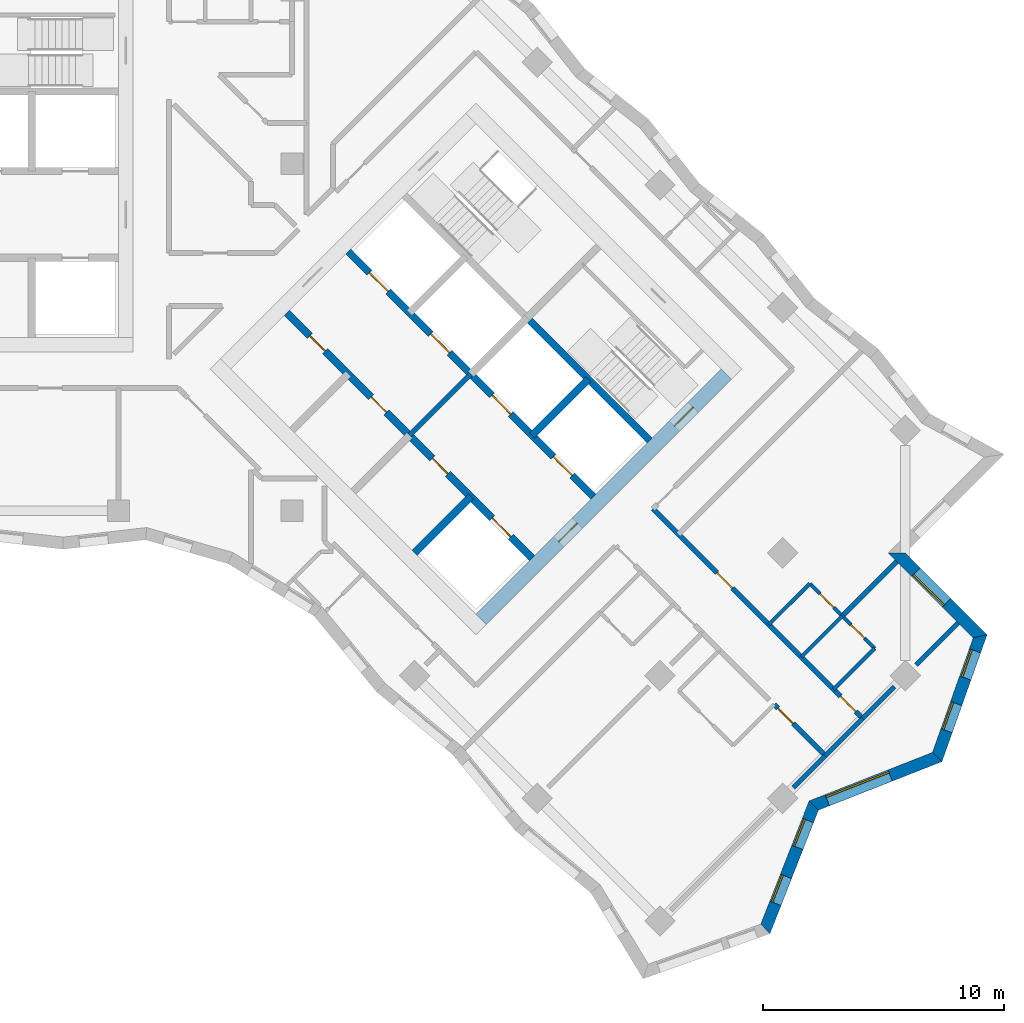
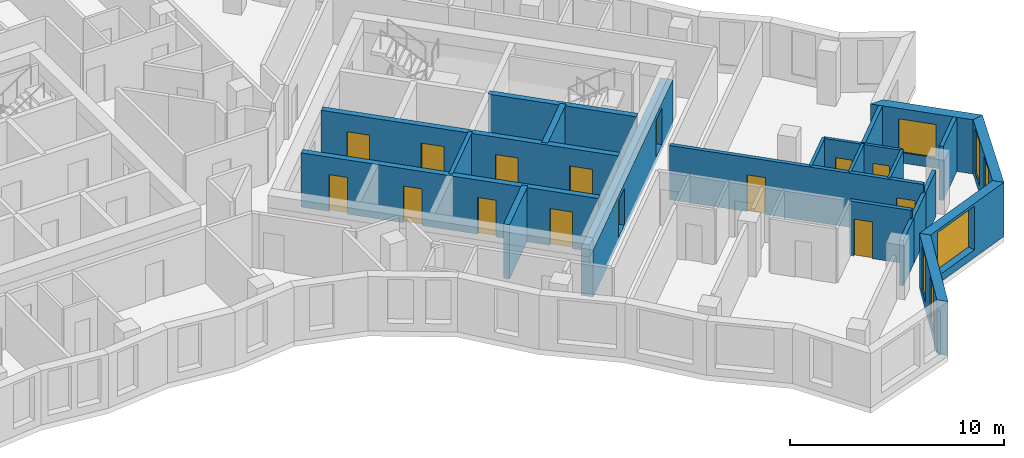
# One storey, part 8 of 12: 22 walls, 15 doors, 6 windows, 21 openings.
"""IFC4 building model written with IfcOpenShell, lengths in metres."""

from ifc_helpers import new_model, si_unit, direction, frame, frame_2d, origin, place, context, subcontext, project, spatial, polyline, rectangle, outline, extrude, material, layer, layer_set, type_object, element, fill, save


model = new_model("IFC4")

# Units and contexts
model_context = context("Model", 3, precision=1e-05, world=origin(), true_north=direction((0.0, 1.0)))
body_context = subcontext(model_context, "Body", "Model", "MODEL_VIEW")
ifc_project = project(units=[si_unit("LENGTHUNIT", "METRE"), si_unit("AREAUNIT", "SQUARE_METRE"), si_unit("VOLUMEUNIT", "CUBIC_METRE"), si_unit("PLANEANGLEUNIT", "RADIAN"), si_unit("MASSUNIT", "GRAM", prefix="KILO")], contexts=[model_context])

# Site, building, storey
site_placement = place(None, origin())
site = spatial("IfcSite", under=ifc_project, at=site_placement, CompositionType="ELEMENT")
building_placement = place(site_placement, origin())
building = spatial("IfcBuilding", under=site, at=building_placement, Name="Windrow Commons", CompositionType="ELEMENT")
storey_placement = place(building_placement, frame((0.0, 0.0, 145.6)))
storey = spatial("IfcBuildingStorey", under=building, at=storey_placement, Name="L39", CompositionType="ELEMENT", Elevation=145.6)

# Wall, openings, windows
ifc_material_1 = material(Name="Brick masonry, red clay brick", Category="masonry")
ifc_layer_1 = layer(ifc_material_1, 0.5)
ifc_layer_set_1 = layer_set([ifc_layer_1], Name="Brick facade wall 500")
wall_type_1 = type_object("IfcWallType", Name="Brick facade wall 500", PredefinedType="SOLIDWALL", material=ifc_layer_set_1)
wall_1_placement = place(storey_placement, frame((98.8481, 25.8513, 0.0), z_axis=(0.0, 0.0, 1.0), x_axis=(0.3657018614, 0.9307320498, 0.0)))
wall_1 = element("IfcWall", 1, at=wall_1_placement, inside=storey, type_object=wall_type_1, Name="Brick facade wall L39 2", PredefinedType="SOLIDWALL", context=body_context, shape_type="SweptSolid", body=[
    extrude(outline(polyline([(-0.1139, -0.25), (5.3925, -0.25), (5.6104, 0.25), (0.1139, 0.25), (-0.1139, -0.25)])), origin(), (0.0, 0.0, 1.0), 3.1),
])
opening_1_placement = place(wall_1_placement, frame((1.141, 0.0, 0.45)))
opening_1 = element("IfcOpeningElement", 2, at=opening_1_placement, cuts=wall_1, Name="Opening W7E", PredefinedType="OPENING", context=body_context, shape_type="SweptSolid", body=[
    extrude(rectangle(XDim=1.2, YDim=2.5, at=frame_2d((0.6, 1.25))), frame((0.0, 0.26, 0.0), z_axis=(0.0, -1.0, 0.0), x_axis=(1.0, 0.0, 0.0)), (0.0, 0.0, 1.0), 0.52),
])
opening_2_placement = place(wall_1_placement, frame((3.6348, 0.0, 0.45)))
opening_2 = element("IfcOpeningElement", 3, at=opening_2_placement, cuts=wall_1, Name="Opening W7E", PredefinedType="OPENING", context=body_context, shape_type="SweptSolid", body=[
    extrude(rectangle(XDim=1.2, YDim=2.5, at=frame_2d((0.6, 1.25))), frame((0.0, 0.26, 0.0), z_axis=(0.0, -1.0, 0.0), x_axis=(1.0, 0.0, 0.0)), (0.0, 0.0, 1.0), 0.52),
])
ifc_material_2 = material(Name="Clear float glass in anodised aluminium frame", Category="aluminium")
window_type_1 = type_object("IfcWindowType", Name="Window W7 notch 1200x2500", PartitioningType="SINGLE_PANEL", PredefinedType="WINDOW", material=ifc_material_2)
window_1_placement = place(opening_1_placement, origin())
window_1 = element("IfcWindow", 4, at=window_1_placement, inside=storey, type_object=window_type_1, Name="Window L39 2.1", OverallHeight=2.5, OverallWidth=1.2, PartitioningType="SINGLE_PANEL", PredefinedType="WINDOW", context=body_context, shape_type="SweptSolid", body=[
    extrude(rectangle(XDim=1.2, YDim=2.5, at=frame_2d((0.6, 1.25))), frame((0.0, 0.18, 0.0), z_axis=(0.0, -1.0, 0.0), x_axis=(1.0, 0.0, 0.0)), (0.0, 0.0, 1.0), 0.06),
])
fill(opening_1, window_1)
window_2_placement = place(opening_2_placement, origin())
window_2 = element("IfcWindow", 5, at=window_2_placement, inside=storey, type_object=window_type_1, Name="Window L39 2.2", OverallHeight=2.5, OverallWidth=1.2, PartitioningType="SINGLE_PANEL", PredefinedType="WINDOW", context=body_context, shape_type="SweptSolid", body=[
    extrude(rectangle(XDim=1.2, YDim=2.5, at=frame_2d((0.6, 1.25))), frame((0.0, 0.18, 0.0), z_axis=(0.0, -1.0, 0.0), x_axis=(1.0, 0.0, 0.0)), (0.0, 0.0, 1.0), 0.06),
])
fill(opening_2, window_2)

# Wall, opening, window
wall_2_placement = place(storey_placement, frame((100.86, 30.9717, 0.0), z_axis=(0.0, 0.0, 1.0), x_axis=(0.9307296188, 0.3657080484, 0.0)))
wall_2 = element("IfcWall", 6, at=wall_2_placement, inside=storey, type_object=wall_type_1, Name="Brick facade wall L39 3", PredefinedType="SOLIDWALL", context=body_context, shape_type="SweptSolid", body=[
    extrude(outline(polyline([(0.109, -0.25), (5.6153, -0.25), (5.3876, 0.25), (-0.109, 0.25), (0.109, -0.25)])), origin(), (0.0, 0.0, 1.0), 3.1),
])
opening_3_placement = place(wall_2_placement, frame((0.6017, 0.0, 0.45)))
opening_3 = element("IfcOpeningElement", 7, at=opening_3_placement, cuts=wall_2, Name="Opening W1U", PredefinedType="OPENING", context=body_context, shape_type="SweptSolid", body=[
    extrude(rectangle(XDim=2.8, YDim=2.5, at=frame_2d((1.4, 1.25))), frame((0.0, 0.26, 0.0), z_axis=(0.0, -1.0, 0.0), x_axis=(1.0, 0.0, 0.0)), (0.0, 0.0, 1.0), 0.52),
])
ifc_material_3 = material(Name="Clear float glass in anodised aluminium frame", Category="aluminium")
window_type_2 = type_object("IfcWindowType", Name="Window W1U bedroom 2800x2500", PartitioningType="SINGLE_PANEL", PredefinedType="WINDOW", material=ifc_material_3)
window_3_placement = place(opening_3_placement, origin())
window_3 = element("IfcWindow", 8, at=window_3_placement, inside=storey, type_object=window_type_2, Name="Window L39 3.1", OverallHeight=2.5, OverallWidth=2.8, PartitioningType="SINGLE_PANEL", PredefinedType="WINDOW", context=body_context, shape_type="SweptSolid", body=[
    extrude(rectangle(XDim=2.8, YDim=2.5, at=frame_2d((1.4, 1.25))), frame((0.0, 0.18, 0.0), z_axis=(0.0, -1.0, 0.0), x_axis=(1.0, 0.0, 0.0)), (0.0, 0.0, 1.0), 0.06),
])
fill(opening_3, window_3)

# Wall, openings, windows
wall_3_placement = place(storey_placement, frame((105.9803, 32.9836, 0.0), z_axis=(0.0, 0.0, 1.0), x_axis=(0.3349755344, 0.9422268259, 0.0)))
wall_3 = element("IfcWall", 9, at=wall_3_placement, inside=storey, type_object=wall_type_1, Name="Brick facade wall L39 4", PredefinedType="SOLIDWALL", context=body_context, shape_type="SweptSolid", body=[
    extrude(outline(polyline([(-0.1139, -0.25), (5.4754, -0.25), (5.1595, 0.25), (0.1139, 0.25), (-0.1139, -0.25)])), origin(), (0.0, 0.0, 1.0), 3.1),
])
opening_4_placement = place(wall_3_placement, frame((1.1576, 0.0, 0.45)))
opening_4 = element("IfcOpeningElement", 10, at=opening_4_placement, cuts=wall_3, Name="Opening W7E", PredefinedType="OPENING", context=body_context, shape_type="SweptSolid", body=[
    extrude(rectangle(XDim=1.2, YDim=2.5, at=frame_2d((0.6, 1.25))), frame((0.0, 0.26, 0.0), z_axis=(0.0, -1.0, 0.0), x_axis=(1.0, 0.0, 0.0)), (0.0, 0.0, 1.0), 0.52),
])
opening_5_placement = place(wall_3_placement, frame((3.4804, 0.0, 0.45)))
opening_5 = element("IfcOpeningElement", 11, at=opening_5_placement, cuts=wall_3, Name="Opening W7E", PredefinedType="OPENING", context=body_context, shape_type="SweptSolid", body=[
    extrude(rectangle(XDim=1.2, YDim=2.5, at=frame_2d((0.6, 1.25))), frame((0.0, 0.26, 0.0), z_axis=(0.0, -1.0, 0.0), x_axis=(1.0, 0.0, 0.0)), (0.0, 0.0, 1.0), 0.52),
])
window_4_placement = place(opening_4_placement, origin())
window_4 = element("IfcWindow", 12, at=window_4_placement, inside=storey, type_object=window_type_1, Name="Window L39 4.1", OverallHeight=2.5, OverallWidth=1.2, PartitioningType="SINGLE_PANEL", PredefinedType="WINDOW", context=body_context, shape_type="SweptSolid", body=[
    extrude(rectangle(XDim=1.2, YDim=2.5, at=frame_2d((0.6, 1.25))), frame((0.0, 0.18, 0.0), z_axis=(0.0, -1.0, 0.0), x_axis=(1.0, 0.0, 0.0)), (0.0, 0.0, 1.0), 0.06),
])
fill(opening_4, window_4)
window_5_placement = place(opening_5_placement, origin())
window_5 = element("IfcWindow", 13, at=window_5_placement, inside=storey, type_object=window_type_1, Name="Window L39 4.2", OverallHeight=2.5, OverallWidth=1.2, PartitioningType="SINGLE_PANEL", PredefinedType="WINDOW", context=body_context, shape_type="SweptSolid", body=[
    extrude(rectangle(XDim=1.2, YDim=2.5, at=frame_2d((0.6, 1.25))), frame((0.0, 0.18, 0.0), z_axis=(0.0, -1.0, 0.0), x_axis=(1.0, 0.0, 0.0)), (0.0, 0.0, 1.0), 0.06),
])
fill(opening_5, window_5)

# Wall, opening, window
wall_4_placement = place(storey_placement, frame((107.7615, 37.9938, 0.0), z_axis=(0.0, 0.0, 1.0), x_axis=(-0.7071170016, 0.7070965606, 0.0)))
wall_4 = element("IfcWall", 14, at=wall_4_placement, inside=storey, type_object=wall_type_1, Name="Brick facade wall L39 5", PredefinedType="SOLIDWALL", context=body_context, shape_type="SweptSolid", body=[
    extrude(outline(polyline([(-0.158, -0.25), (4.6421, -0.25), (5.1421, 0.25), (0.158, 0.25), (-0.158, -0.25)])), origin(), (0.0, 0.0, 1.0), 3.1),
])
opening_6_placement = place(wall_4_placement, frame((1.9671, 0.0, 0.6)))
opening_6 = element("IfcOpeningElement", 15, at=opening_6_placement, cuts=wall_4, Name="Opening W1L", PredefinedType="OPENING", context=body_context, shape_type="SweptSolid", body=[
    extrude(rectangle(XDim=1.8, YDim=1.9, at=frame_2d((0.9, 0.95))), frame((0.0, 0.26, 0.0), z_axis=(0.0, -1.0, 0.0), x_axis=(1.0, 0.0, 0.0)), (0.0, 0.0, 1.0), 0.52),
])
ifc_material_4 = material(Name="Clear float glass in anodised aluminium frame", Category="aluminium")
window_type_3 = type_object("IfcWindowType", Name="Window W1L bedroom 1800x1900", PartitioningType="SINGLE_PANEL", PredefinedType="WINDOW", material=ifc_material_4)
window_6_placement = place(opening_6_placement, origin())
window_6 = element("IfcWindow", 16, at=window_6_placement, inside=storey, type_object=window_type_3, Name="Window L39 5.1", OverallHeight=1.9, OverallWidth=1.8, PartitioningType="SINGLE_PANEL", PredefinedType="WINDOW", context=body_context, shape_type="SweptSolid", body=[
    extrude(rectangle(XDim=1.8, YDim=1.9, at=frame_2d((0.9, 0.95))), frame((0.0, 0.18, 0.0), z_axis=(0.0, -1.0, 0.0), x_axis=(1.0, 0.0, 0.0)), (0.0, 0.0, 1.0), 0.06),
])
fill(opening_6, window_6)

# Wall
ifc_material_5 = material(Name="Blockwork partition", Category="masonry")
ifc_layer_2 = layer(ifc_material_5, 0.2)
ifc_layer_set_2 = layer_set([ifc_layer_2], Name="Fire lobby partition 200")
wall_type_2 = type_object("IfcWallType", Name="Fire lobby partition 200", PredefinedType="PARTITIONING", material=ifc_layer_set_2)
wall_5_placement = place(storey_placement, frame((84.079, 46.332, 0.0), z_axis=(0.0, 0.0, 1.0), x_axis=(0.7071067812, 0.7071067812, 0.0)))
element("IfcWall", 17, at=wall_5_placement, inside=storey, type_object=wall_type_2, Name="W-core-lobby-B-L39", PredefinedType="PARTITIONING", context=body_context, shape_type="SweptSolid", body=[
    extrude(rectangle(XDim=3.6, YDim=0.2, at=frame_2d((1.8, 0.0))), origin(), (0.0, 0.0, 1.0), 3.1),
])

# Wall, openings, doors
ifc_material_6 = material(Name="Blockwork partition", Category="masonry")
ifc_layer_3 = layer(ifc_material_6, 0.2)
ifc_layer_set_3 = layer_set([ifc_layer_3], Name="IW-CORRIDOR-200")
wall_type_3 = type_object("IfcWallType", Name="IW-CORRIDOR-200", PredefinedType="PARTITIONING", material=ifc_layer_set_3)
wall_6_placement = place(storey_placement, frame((94.1889, 43.2869, 0.0), z_axis=(0.0, 0.0, 1.0), x_axis=(0.7071067812, -0.7071067812, 0.0)))
wall_6 = element("IfcWall", 18, at=wall_6_placement, inside=storey, type_object=wall_type_3, Name="W-L39-W005", PredefinedType="PARTITIONING", context=body_context, shape_type="SweptSolid", body=[
    extrude(rectangle(XDim=12.298, YDim=0.2, at=frame_2d((6.149, 0.0))), origin(), (0.0, 0.0, 1.0), 3.1),
])
opening_7_placement = place(wall_6_placement, frame((3.7546, 0.0, 0.0)))
opening_7 = element("IfcOpeningElement", 19, at=opening_7_placement, cuts=wall_6, Name="Opening D109F", PredefinedType="OPENING", context=body_context, shape_type="SweptSolid", body=[
    extrude(rectangle(XDim=0.9, YDim=2.1, at=frame_2d((0.45, 1.05))), frame((0.0, 0.11, 0.0), z_axis=(0.0, -1.0, 0.0), x_axis=(1.0, 0.0, 0.0)), (0.0, 0.0, 1.0), 0.22),
])
opening_8_placement = place(wall_6_placement, frame((10.998, 0.0, 0.0)))
opening_8 = element("IfcOpeningElement", 20, at=opening_8_placement, cuts=wall_6, Name="Opening D109S", PredefinedType="OPENING", context=body_context, shape_type="SweptSolid", body=[
    extrude(rectangle(XDim=0.9, YDim=2.1, at=frame_2d((0.45, 1.05))), frame((0.0, 0.11, 0.0), z_axis=(0.0, -1.0, 0.0), x_axis=(1.0, 0.0, 0.0)), (0.0, 0.0, 1.0), 0.22),
])
ifc_material_7 = material(Name="Timber door leaf", Category="wood")
door_type_1 = type_object("IfcDoorType", Name="DT-BEDROOM-900", OperationType="SINGLE_SWING_LEFT", PredefinedType="DOOR", material=ifc_material_7)
door_1_placement = place(opening_7_placement, origin())
door_1 = element("IfcDoor", 21, at=door_1_placement, inside=storey, type_object=door_type_1, Name="D-L39-D042", OperationType="SINGLE_SWING_RIGHT", OverallHeight=2.1, OverallWidth=0.9, PredefinedType="DOOR", context=body_context, shape_type="SweptSolid", body=[
    extrude(rectangle(XDim=0.9, YDim=2.1, at=frame_2d((0.45, 1.05))), frame((0.0, 0.025, 0.0), z_axis=(0.0, -1.0, 0.0), x_axis=(1.0, 0.0, 0.0)), (0.0, 0.0, 1.0), 0.05),
])
fill(opening_7, door_1)
door_2_placement = place(opening_8_placement, origin())
door_2 = element("IfcDoor", 22, at=door_2_placement, inside=storey, type_object=door_type_1, Name="D-L39-D053", OperationType="SINGLE_SWING_RIGHT", OverallHeight=2.1, OverallWidth=0.9, PredefinedType="DOOR", context=body_context, shape_type="SweptSolid", body=[
    extrude(rectangle(XDim=0.9, YDim=2.1, at=frame_2d((0.45, 1.05))), frame((0.0, 0.025, 0.0), z_axis=(0.0, -1.0, 0.0), x_axis=(1.0, 0.0, 0.0)), (0.0, 0.0, 1.0), 0.05),
])
fill(opening_8, door_2)

# Wall, opening, door
wall_7_placement = place(storey_placement, frame((99.2143, 35.1623, 0.0), z_axis=(0.0, 0.0, 1.0), x_axis=(0.706773319, -0.7074400862, 0.0)))
wall_7 = element("IfcWall", 23, at=wall_7_placement, inside=storey, type_object=wall_type_3, Name="W-L39-W057", PredefinedType="PARTITIONING", context=body_context, shape_type="SweptSolid", body=[
    extrude(rectangle(XDim=2.9995, YDim=0.2, at=frame_2d((1.4997, 0.0))), origin(), (0.0, 0.0, 1.0), 3.1),
])
opening_9_placement = place(wall_7_placement, frame((0.2196, 0.0, 0.0)))
opening_9 = element("IfcOpeningElement", 24, at=opening_9_placement, cuts=wall_7, Name="Opening D109F", PredefinedType="OPENING", context=body_context, shape_type="SweptSolid", body=[
    extrude(rectangle(XDim=0.9, YDim=2.1, at=frame_2d((0.45, 1.05))), frame((0.0, 0.11, 0.0), z_axis=(0.0, -1.0, 0.0), x_axis=(1.0, 0.0, 0.0)), (0.0, 0.0, 1.0), 0.22),
])
door_3_placement = place(opening_9_placement, origin())
door_3 = element("IfcDoor", 25, at=door_3_placement, inside=storey, type_object=door_type_1, Name="D-L39-D051", OperationType="SINGLE_SWING_RIGHT", OverallHeight=2.1, OverallWidth=0.9, PredefinedType="DOOR", context=body_context, shape_type="SweptSolid", body=[
    extrude(rectangle(XDim=0.9, YDim=2.1, at=frame_2d((0.45, 1.05))), frame((0.0, 0.025, 0.0), z_axis=(0.0, -1.0, 0.0), x_axis=(1.0, 0.0, 0.0)), (0.0, 0.0, 1.0), 0.05),
])
fill(opening_9, door_3)

# Wall
wall_8_placement = place(storey_placement, frame((101.3312, 33.0388, 0.0), z_axis=(0.0, 0.0, 1.0), x_axis=(0.7071067812, 0.7071067812, 0.0)))
element("IfcWall", 26, at=wall_8_placement, inside=storey, type_object=wall_type_3, Name="W-L39-W107", PredefinedType="PARTITIONING", context=body_context, shape_type="SweptSolid", body=[
    extrude(rectangle(XDim=2.2005, YDim=0.2, at=frame_2d((1.1002, 0.0))), origin(), (0.0, 0.0, 1.0), 2.6),
])

# Wall, openings, doors
ifc_material_8 = material(Name="Blockwork partition", Category="masonry")
ifc_layer_4 = layer(ifc_material_8, 0.15)
ifc_layer_set_4 = layer_set([ifc_layer_4], Name="IW-ENSUITE-150")
wall_type_4 = type_object("IfcWallType", Name="IW-ENSUITE-150", PredefinedType="PARTITIONING", material=ifc_layer_set_4)
wall_9_placement = place(storey_placement, frame((100.6942, 40.1782, 0.0), z_axis=(0.0, 0.0, 1.0), x_axis=(0.7076329021, -0.7065802685, 0.0)))
wall_9 = element("IfcWall", 27, at=wall_9_placement, inside=storey, type_object=wall_type_4, Name="W-L39-W048", PredefinedType="PARTITIONING", context=body_context, shape_type="SweptSolid", body=[
    extrude(rectangle(XDim=3.8, YDim=0.15, at=frame_2d((1.9, 0.0))), origin(), (0.0, 0.0, 1.0), 3.1),
])
opening_10_placement = place(wall_9_placement, frame((0.5978, 0.0, 0.0)))
opening_10 = element("IfcOpeningElement", 28, at=opening_10_placement, cuts=wall_9, Name="Opening D208N", PredefinedType="OPENING", context=body_context, shape_type="SweptSolid", body=[
    extrude(rectangle(XDim=0.8, YDim=2.1, at=frame_2d((0.4, 1.05))), frame((0.0, 0.085, 0.0), z_axis=(0.0, -1.0, 0.0), x_axis=(1.0, 0.0, 0.0)), (0.0, 0.0, 1.0), 0.17),
])
opening_11_placement = place(wall_9_placement, frame((2.4048, 0.0, 0.0)))
opening_11 = element("IfcOpeningElement", 29, at=opening_11_placement, cuts=wall_9, Name="Opening D208N", PredefinedType="OPENING", context=body_context, shape_type="SweptSolid", body=[
    extrude(rectangle(XDim=0.8, YDim=2.1, at=frame_2d((0.4, 1.05))), frame((0.0, 0.085, 0.0), z_axis=(0.0, -1.0, 0.0), x_axis=(1.0, 0.0, 0.0)), (0.0, 0.0, 1.0), 0.17),
])
ifc_material_9 = material(Name="Timber door leaf", Category="wood")
door_type_2 = type_object("IfcDoorType", Name="DT-ENSUITE-800", OperationType="SINGLE_SWING_LEFT", PredefinedType="DOOR", material=ifc_material_9)
door_4_placement = place(opening_10_placement, origin())
door_4 = element("IfcDoor", 30, at=door_4_placement, inside=storey, type_object=door_type_2, Name="D-L39-D043", OperationType="SINGLE_SWING_RIGHT", OverallHeight=2.1, OverallWidth=0.8, PredefinedType="DOOR", context=body_context, shape_type="SweptSolid", body=[
    extrude(rectangle(XDim=0.8, YDim=2.1, at=frame_2d((0.4, 1.05))), frame((0.0, 0.025, 0.0), z_axis=(0.0, -1.0, 0.0), x_axis=(1.0, 0.0, 0.0)), (0.0, 0.0, 1.0), 0.05),
])
fill(opening_10, door_4)
door_5_placement = place(opening_11_placement, origin())
door_5 = element("IfcDoor", 31, at=door_5_placement, inside=storey, type_object=door_type_2, Name="D-L39-D054", OperationType="SINGLE_SWING_RIGHT", OverallHeight=2.1, OverallWidth=0.8, PredefinedType="DOOR", context=body_context, shape_type="SweptSolid", body=[
    extrude(rectangle(XDim=0.8, YDim=2.1, at=frame_2d((0.4, 1.05))), frame((0.0, 0.025, 0.0), z_axis=(0.0, -1.0, 0.0), x_axis=(1.0, 0.0, 0.0)), (0.0, 0.0, 1.0), 0.05),
])
fill(opening_11, door_5)

# Walls
wall_10_placement = place(storey_placement, frame((101.6851, 35.7969, 0.0), z_axis=(0.0, 0.0, 1.0), x_axis=(0.7071067812, 0.7071067812, 0.0)))
element("IfcWall", 32, at=wall_10_placement, inside=storey, type_object=wall_type_4, Name="W-L39-W068", PredefinedType="PARTITIONING", context=body_context, shape_type="SweptSolid", body=[
    extrude(rectangle(XDim=2.4013, YDim=0.15, at=frame_2d((1.2006, 0.0))), origin(), (0.0, 0.0, 1.0), 3.1),
])
for number, where, z_axis, x_axis, name in (
    (33, (100.3397, 37.1423, 0.0), (0.0, 0.0, 1.0), (0.7075233388, 0.706689978, 0.0), "W-L39-W094"),
    (34, (98.9962, 38.4858, 0.0), (0.0, 0.0, 1.0), (0.7075233388, 0.706689978, 0.0), "W-L39-W095"),
):
    element("IfcWall", number, at=place(storey_placement, frame(where, z_axis=z_axis, x_axis=x_axis)), inside=storey, type_object=wall_type_4, Name=name, PredefinedType="PARTITIONING", context=body_context, shape_type="SweptSolid", body=[
        extrude(rectangle(XDim=2.3999, YDim=0.15, at=frame_2d((1.2, 0.0))), origin(), (0.0, 0.0, 1.0), 3.1),
    ])
ifc_material_10 = material(Name="Blockwork partition", Category="masonry")
ifc_layer_5 = layer(ifc_material_10, 0.2)
ifc_layer_set_5 = layer_set([ifc_layer_5], Name="IW-PARTY-200")
wall_type_5 = type_object("IfcWallType", Name="IW-PARTY-200", PredefinedType="PARTITIONING", material=ifc_layer_set_5)
wall_11_placement = place(storey_placement, frame((102.0396, 38.8384, 0.0), z_axis=(0.0, 0.0, 1.0), x_axis=(0.7071067812, 0.7071067812, 0.0)))
element("IfcWall", 35, at=wall_11_placement, inside=storey, type_object=wall_type_5, Name="W-L39-W054", PredefinedType="PARTITIONING", context=body_context, shape_type="SweptSolid", body=[
    extrude(rectangle(XDim=3.1987, YDim=0.2, at=frame_2d((1.5994, 0.0))), origin(), (0.0, 0.0, 1.0), 3.1),
])
wall_12_placement = place(storey_placement, frame((105.1052, 36.8128, 0.0), z_axis=(0.0, 0.0, 1.0), x_axis=(0.7071067812, 0.7071067812, 0.0)))
element("IfcWall", 36, at=wall_12_placement, inside=storey, type_object=wall_type_5, Name="W-L39-W065", PredefinedType="PARTITIONING", context=body_context, shape_type="SweptSolid", body=[
    extrude(rectangle(XDim=2.4634, YDim=0.2, at=frame_2d((1.2317, 0.0))), origin(), (0.0, 0.0, 1.0), 3.1),
])
for number, where, z_axis, x_axis, name in (
    (37, (102.8872, 34.5948, 0.0), (0.0, 0.0, 1.0), (0.7071067812, 0.7071067812, 0.0), "W-L39-W133"),
    (38, (100.0132, 31.7208, 0.0), (0.0, 0.0, 1.0), (0.7071067812, 0.7071067812, 0.0), "W-L39-W135"),
):
    element("IfcWall", number, at=place(storey_placement, frame(where, z_axis=z_axis, x_axis=x_axis)), inside=storey, type_object=wall_type_5, Name=name, PredefinedType="PARTITIONING", context=body_context, shape_type="SweptSolid", body=[
        extrude(rectangle(XDim=1.8639, YDim=0.2, at=frame_2d((0.9319, 0.0))), origin(), (0.0, 0.0, 1.0), 2.6),
    ])

# Wall, openings, doors
ifc_material_11 = material(Name="Concrete C50/60", Category="concrete")
ifc_layer_6 = layer(ifc_material_11, 0.6)
ifc_layer_set_6 = layer_set([ifc_layer_6], Name="RC CORE WALL 600 C50/60")
wall_type_6 = type_object("IfcWallType", Name="RC CORE WALL 600 C50/60", PredefinedType="SHEAR", material=ifc_layer_set_6)
wall_13_placement = place(storey_placement, frame((87.0489, 38.6953, -0.3), z_axis=(0.0, 0.0, 1.0), x_axis=(0.7071067812, 0.7071067812, 0.0)))
wall_13 = element("IfcWall", 39, at=wall_13_placement, inside=storey, type_object=wall_type_6, Name="Core B wall outer-E", PredefinedType="SHEAR", context=body_context, shape_type="SweptSolid", body=[
    extrude(rectangle(XDim=14.3999, YDim=0.6, at=frame_2d((7.2, 0.0))), origin(), (0.0, 0.0, 1.0), 2.7),
])
opening_12_placement = place(wall_13_placement, frame((4.55, 0.0, 0.3)))
opening_12 = element("IfcOpeningElement", 40, at=opening_12_placement, cuts=wall_13, Name="Opening D6", PredefinedType="OPENING", context=body_context, shape_type="SweptSolid", body=[
    extrude(rectangle(XDim=1.1, YDim=2.1, at=frame_2d((0.55, 1.05))), frame((0.0, 0.31, 0.0), z_axis=(0.0, -1.0, 0.0), x_axis=(1.0, 0.0, 0.0)), (0.0, 0.0, 1.0), 0.62),
])
opening_13_placement = place(wall_13_placement, frame((11.35, 0.0, 0.3)))
opening_13 = element("IfcOpeningElement", 41, at=opening_13_placement, cuts=wall_13, Name="Opening D7", PredefinedType="OPENING", context=body_context, shape_type="SweptSolid", body=[
    extrude(rectangle(XDim=1.1, YDim=2.1, at=frame_2d((0.55, 1.05))), frame((0.0, 0.31, 0.0), z_axis=(0.0, -1.0, 0.0), x_axis=(1.0, 0.0, 0.0)), (0.0, 0.0, 1.0), 0.62),
])
ifc_material_12 = material(Name="Steel fire door leaf", Category="steel")
door_type_3 = type_object("IfcDoorType", Name="Core lobby door 1100", OperationType="SINGLE_SWING_LEFT", PredefinedType="DOOR", material=ifc_material_12)
door_6_placement = place(opening_12_placement, origin())
door_6 = element("IfcDoor", 42, at=door_6_placement, inside=storey, type_object=door_type_3, Name="Lift lobby door", OperationType="DOUBLE_DOOR_SINGLE_SWING", OverallHeight=2.1, OverallWidth=1.1, PredefinedType="DOOR", context=body_context, shape_type="SweptSolid", body=[
    extrude(rectangle(XDim=1.1, YDim=2.1, at=frame_2d((0.55, 1.05))), frame((0.0, 0.025, 0.0), z_axis=(0.0, -1.0, 0.0), x_axis=(1.0, 0.0, 0.0)), (0.0, 0.0, 1.0), 0.05),
])
fill(opening_12, door_6)
ifc_material_13 = material(Name="Steel fire door leaf", Category="steel")
door_type_4 = type_object("IfcDoorType", Name="Stair door 1100", OperationType="SINGLE_SWING_LEFT", PredefinedType="DOOR", material=ifc_material_13)
door_7_placement = place(opening_13_placement, origin())
door_7 = element("IfcDoor", 43, at=door_7_placement, inside=storey, type_object=door_type_4, Name="Stair door", OperationType="SINGLE_SWING_RIGHT", OverallHeight=2.1, OverallWidth=1.1, PredefinedType="DOOR", context=body_context, shape_type="SweptSolid", body=[
    extrude(rectangle(XDim=1.1, YDim=2.1, at=frame_2d((0.55, 1.05))), frame((0.0, 0.025, 0.0), z_axis=(0.0, -1.0, 0.0), x_axis=(1.0, 0.0, 0.0)), (0.0, 0.0, 1.0), 0.05),
])
fill(opening_13, door_7)

# Walls
ifc_material_14 = material(Name="Concrete C50/60", Category="concrete")
ifc_layer_7 = layer(ifc_material_14, 0.3)
ifc_layer_set_7 = layer_set([ifc_layer_7], Name="RC SHAFT WALL 300 C50/60")
wall_type_7 = type_object("IfcWallType", Name="RC SHAFT WALL 300 C50/60", PredefinedType="SOLIDWALL", material=ifc_layer_set_7)
wall_14_placement = place(storey_placement, frame((84.2912, 41.453, 0.0), z_axis=(0.0, 0.0, 1.0), x_axis=(0.7071067812, 0.7071067812, 0.0)))
element("IfcWall", 44, at=wall_14_placement, inside=storey, type_object=wall_type_7, Name="Core B wall shaft-S3", PredefinedType="SOLIDWALL", context=body_context, shape_type="SweptSolid", body=[
    extrude(rectangle(XDim=3.2999, YDim=0.3, at=frame_2d((1.65, 0.0))), origin(), (0.0, 0.0, 1.0), 3.1),
])
wall_15_placement = place(storey_placement, frame((89.1702, 46.332, 0.0), z_axis=(0.0, 0.0, 1.0), x_axis=(0.7071067812, 0.7071067812, 0.0)))
element("IfcWall", 45, at=wall_15_placement, inside=storey, type_object=wall_type_7, Name="Core B wall shaft-N3", PredefinedType="SOLIDWALL", context=body_context, shape_type="SweptSolid", body=[
    extrude(rectangle(XDim=3.3001, YDim=0.3, at=frame_2d((1.6501, 0.0))), origin(), (0.0, 0.0, 1.0), 3.1),
])

# Wall, openings, doors
wall_16_placement = place(storey_placement, frame((78.9879, 51.4232, 0.0), z_axis=(0.0, 0.0, 1.0), x_axis=(0.7071067812, -0.7071067812, 0.0)))
wall_16 = element("IfcWall", 46, at=wall_16_placement, inside=storey, type_object=wall_type_7, Name="Core B wall lobby-S", PredefinedType="SOLIDWALL", context=body_context, shape_type="SweptSolid", body=[
    extrude(rectangle(XDim=14.3999, YDim=0.3, at=frame_2d((7.2, 0.0))), origin(), (0.0, 0.0, 1.0), 3.1),
])
opening_14_placement = place(wall_16_placement, frame((1.35, 0.0, 0.0)))
opening_14 = element("IfcOpeningElement", 47, at=opening_14_placement, cuts=wall_16, Name="Opening D8", PredefinedType="OPENING", context=body_context, shape_type="SweptSolid", body=[
    extrude(rectangle(XDim=0.9, YDim=2.1, at=frame_2d((0.45, 1.05))), frame((0.0, 0.16, 0.0), z_axis=(0.0, -1.0, 0.0), x_axis=(1.0, 0.0, 0.0)), (0.0, 0.0, 1.0), 0.32),
])
opening_15_placement = place(wall_16_placement, frame((4.95, 0.0, 0.0)))
opening_15 = element("IfcOpeningElement", 48, at=opening_15_placement, cuts=wall_16, Name="Opening D8", PredefinedType="OPENING", context=body_context, shape_type="SweptSolid", body=[
    extrude(rectangle(XDim=0.9, YDim=2.1, at=frame_2d((0.45, 1.05))), frame((0.0, 0.16, 0.0), z_axis=(0.0, -1.0, 0.0), x_axis=(1.0, 0.0, 0.0)), (0.0, 0.0, 1.0), 0.32),
])
opening_16_placement = place(wall_16_placement, frame((8.55, 0.0, 0.0)))
opening_16 = element("IfcOpeningElement", 49, at=opening_16_placement, cuts=wall_16, Name="Opening D8", PredefinedType="OPENING", context=body_context, shape_type="SweptSolid", body=[
    extrude(rectangle(XDim=0.9, YDim=2.1, at=frame_2d((0.45, 1.05))), frame((0.0, 0.16, 0.0), z_axis=(0.0, -1.0, 0.0), x_axis=(1.0, 0.0, 0.0)), (0.0, 0.0, 1.0), 0.32),
])
opening_17_placement = place(wall_16_placement, frame((12.05, 0.0, 0.0)))
opening_17 = element("IfcOpeningElement", 50, at=opening_17_placement, cuts=wall_16, Name="Opening LD", PredefinedType="OPENING", context=body_context, shape_type="SweptSolid", body=[
    extrude(rectangle(XDim=1.1, YDim=2.1, at=frame_2d((0.55, 1.05))), frame((0.0, 0.16, 0.0), z_axis=(0.0, -1.0, 0.0), x_axis=(1.0, 0.0, 0.0)), (0.0, 0.0, 1.0), 0.32),
])
ifc_material_15 = material(Name="Steel fire door leaf", Category="steel")
door_type_5 = type_object("IfcDoorType", Name="Core store door 900", OperationType="SINGLE_SWING_LEFT", PredefinedType="DOOR", material=ifc_material_15)
door_8_placement = place(opening_14_placement, origin())
door_8 = element("IfcDoor", 51, at=door_8_placement, inside=storey, type_object=door_type_5, Name="Store door", OperationType="SINGLE_SWING_LEFT", OverallHeight=2.1, OverallWidth=0.9, PredefinedType="DOOR", context=body_context, shape_type="SweptSolid", body=[
    extrude(rectangle(XDim=0.9, YDim=2.1, at=frame_2d((0.45, 1.05))), frame((0.0, 0.025, 0.0), z_axis=(0.0, -1.0, 0.0), x_axis=(1.0, 0.0, 0.0)), (0.0, 0.0, 1.0), 0.05),
])
fill(opening_14, door_8)
door_9_placement = place(opening_15_placement, origin())
door_9 = element("IfcDoor", 52, at=door_9_placement, inside=storey, type_object=door_type_5, Name="Store door", OperationType="SINGLE_SWING_LEFT", OverallHeight=2.1, OverallWidth=0.9, PredefinedType="DOOR", context=body_context, shape_type="SweptSolid", body=[
    extrude(rectangle(XDim=0.9, YDim=2.1, at=frame_2d((0.45, 1.05))), frame((0.0, 0.025, 0.0), z_axis=(0.0, -1.0, 0.0), x_axis=(1.0, 0.0, 0.0)), (0.0, 0.0, 1.0), 0.05),
])
fill(opening_15, door_9)
door_10_placement = place(opening_16_placement, origin())
door_10 = element("IfcDoor", 53, at=door_10_placement, inside=storey, type_object=door_type_5, Name="Store door", OperationType="SINGLE_SWING_LEFT", OverallHeight=2.1, OverallWidth=0.9, PredefinedType="DOOR", context=body_context, shape_type="SweptSolid", body=[
    extrude(rectangle(XDim=0.9, YDim=2.1, at=frame_2d((0.45, 1.05))), frame((0.0, 0.025, 0.0), z_axis=(0.0, -1.0, 0.0), x_axis=(1.0, 0.0, 0.0)), (0.0, 0.0, 1.0), 0.05),
])
fill(opening_16, door_10)
ifc_material_16 = material(Name="Stainless steel door leaf", Category="steel")
door_type_6 = type_object("IfcDoorType", Name="Lift landing door 1100", OperationType="SLIDING_TO_LEFT", PredefinedType="DOOR", material=ifc_material_16)
door_11_placement = place(opening_17_placement, origin())
door_11 = element("IfcDoor", 54, at=door_11_placement, inside=storey, type_object=door_type_6, Name="Lift landing door", OperationType="SLIDING_TO_RIGHT", OverallHeight=2.1, OverallWidth=1.1, PredefinedType="DOOR", context=body_context, shape_type="SweptSolid", body=[
    extrude(rectangle(XDim=1.1, YDim=2.1, at=frame_2d((0.55, 1.05))), frame((0.0, 0.025, 0.0), z_axis=(0.0, -1.0, 0.0), x_axis=(1.0, 0.0, 0.0)), (0.0, 0.0, 1.0), 0.05),
])
fill(opening_17, door_11)

wall_17_placement = place(storey_placement, frame((81.5335, 53.9688, 0.0), z_axis=(0.0, 0.0, 1.0), x_axis=(0.707103309, -0.7071102534, 0.0)))
wall_17 = element("IfcWall", 55, at=wall_17_placement, inside=storey, type_object=wall_type_7, Name="Core B wall lobby-N", PredefinedType="SOLIDWALL", context=body_context, shape_type="SweptSolid", body=[
    extrude(rectangle(XDim=14.4, YDim=0.3, at=frame_2d((7.2, 0.0))), origin(), (0.0, 0.0, 1.0), 3.1),
])
opening_18_placement = place(wall_17_placement, frame((1.25, 0.0, 0.0)))
opening_18 = element("IfcOpeningElement", 56, at=opening_18_placement, cuts=wall_17, Name="Opening LD", PredefinedType="OPENING", context=body_context, shape_type="SweptSolid", body=[
    extrude(rectangle(XDim=1.1, YDim=2.1, at=frame_2d((0.55, 1.05))), frame((0.0, 0.16, 0.0), z_axis=(0.0, -1.0, 0.0), x_axis=(1.0, 0.0, 0.0)), (0.0, 0.0, 1.0), 0.32),
])
opening_19_placement = place(wall_17_placement, frame((4.85, 0.0, 0.0)))
opening_19 = element("IfcOpeningElement", 57, at=opening_19_placement, cuts=wall_17, Name="Opening LD", PredefinedType="OPENING", context=body_context, shape_type="SweptSolid", body=[
    extrude(rectangle(XDim=1.1, YDim=2.1, at=frame_2d((0.55, 1.05))), frame((0.0, 0.16, 0.0), z_axis=(0.0, -1.0, 0.0), x_axis=(1.0, 0.0, 0.0)), (0.0, 0.0, 1.0), 0.32),
])
opening_20_placement = place(wall_17_placement, frame((8.45, 0.0, 0.0)))
opening_20 = element("IfcOpeningElement", 58, at=opening_20_placement, cuts=wall_17, Name="Opening LD", PredefinedType="OPENING", context=body_context, shape_type="SweptSolid", body=[
    extrude(rectangle(XDim=1.1, YDim=2.1, at=frame_2d((0.55, 1.05))), frame((0.0, 0.16, 0.0), z_axis=(0.0, -1.0, 0.0), x_axis=(1.0, 0.0, 0.0)), (0.0, 0.0, 1.0), 0.32),
])
opening_21_placement = place(wall_17_placement, frame((12.05, 0.0, 0.0)))
opening_21 = element("IfcOpeningElement", 59, at=opening_21_placement, cuts=wall_17, Name="Opening LD", PredefinedType="OPENING", context=body_context, shape_type="SweptSolid", body=[
    extrude(rectangle(XDim=1.1, YDim=2.1, at=frame_2d((0.55, 1.05))), frame((0.0, 0.16, 0.0), z_axis=(0.0, -1.0, 0.0), x_axis=(1.0, 0.0, 0.0)), (0.0, 0.0, 1.0), 0.32),
])
door_12_placement = place(opening_18_placement, origin())
door_12 = element("IfcDoor", 60, at=door_12_placement, inside=storey, type_object=door_type_6, Name="Lift landing door", OperationType="SLIDING_TO_LEFT", OverallHeight=2.1, OverallWidth=1.1, PredefinedType="DOOR", context=body_context, shape_type="SweptSolid", body=[
    extrude(rectangle(XDim=1.1, YDim=2.1, at=frame_2d((0.55, 1.05))), frame((0.0, 0.025, 0.0), z_axis=(0.0, -1.0, 0.0), x_axis=(1.0, 0.0, 0.0)), (0.0, 0.0, 1.0), 0.05),
])
fill(opening_18, door_12)
door_13_placement = place(opening_19_placement, origin())
door_13 = element("IfcDoor", 61, at=door_13_placement, inside=storey, type_object=door_type_6, Name="Lift landing door", OperationType="SLIDING_TO_RIGHT", OverallHeight=2.1, OverallWidth=1.1, PredefinedType="DOOR", context=body_context, shape_type="SweptSolid", body=[
    extrude(rectangle(XDim=1.1, YDim=2.1, at=frame_2d((0.55, 1.05))), frame((0.0, 0.025, 0.0), z_axis=(0.0, -1.0, 0.0), x_axis=(1.0, 0.0, 0.0)), (0.0, 0.0, 1.0), 0.05),
])
fill(opening_19, door_13)
door_14_placement = place(opening_20_placement, origin())
door_14 = element("IfcDoor", 62, at=door_14_placement, inside=storey, type_object=door_type_6, Name="Lift landing door", OperationType="SLIDING_TO_LEFT", OverallHeight=2.1, OverallWidth=1.1, PredefinedType="DOOR", context=body_context, shape_type="SweptSolid", body=[
    extrude(rectangle(XDim=1.1, YDim=2.1, at=frame_2d((0.55, 1.05))), frame((0.0, 0.025, 0.0), z_axis=(0.0, -1.0, 0.0), x_axis=(1.0, 0.0, 0.0)), (0.0, 0.0, 1.0), 0.05),
])
fill(opening_20, door_14)
door_15_placement = place(opening_21_placement, origin())
door_15 = element("IfcDoor", 63, at=door_15_placement, inside=storey, type_object=door_type_6, Name="Lift landing door", OperationType="SLIDING_TO_RIGHT", OverallHeight=2.1, OverallWidth=1.1, PredefinedType="DOOR", context=body_context, shape_type="SweptSolid", body=[
    extrude(rectangle(XDim=1.1, YDim=2.1, at=frame_2d((0.55, 1.05))), frame((0.0, 0.025, 0.0), z_axis=(0.0, -1.0, 0.0), x_axis=(1.0, 0.0, 0.0)), (0.0, 0.0, 1.0), 0.05),
])
fill(opening_21, door_15)

# Wall
wall_18_placement = place(storey_placement, frame((88.9581, 51.2111, 0.0), z_axis=(0.0, 0.0, 1.0), x_axis=(0.7070998367, -0.7071137256, 0.0)))
element("IfcWall", 64, at=wall_18_placement, inside=storey, type_object=wall_type_7, Name="Core B wall stair-S2", PredefinedType="SOLIDWALL", context=body_context, shape_type="SweptSolid", body=[
    extrude(rectangle(XDim=7.2, YDim=0.3, at=frame_2d((3.6, 0.0))), origin(), (0.0, 0.0, 1.0), 3.1),
])

save(model, "model.ifc")
